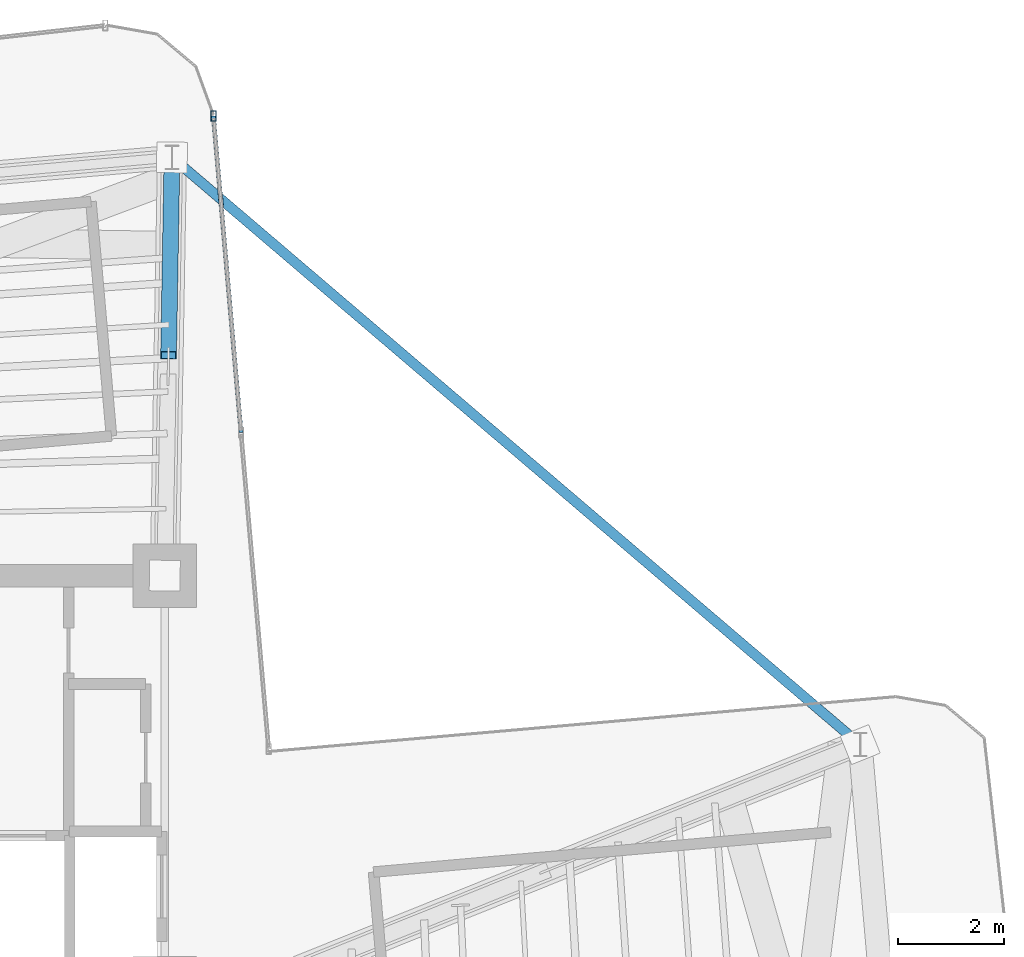
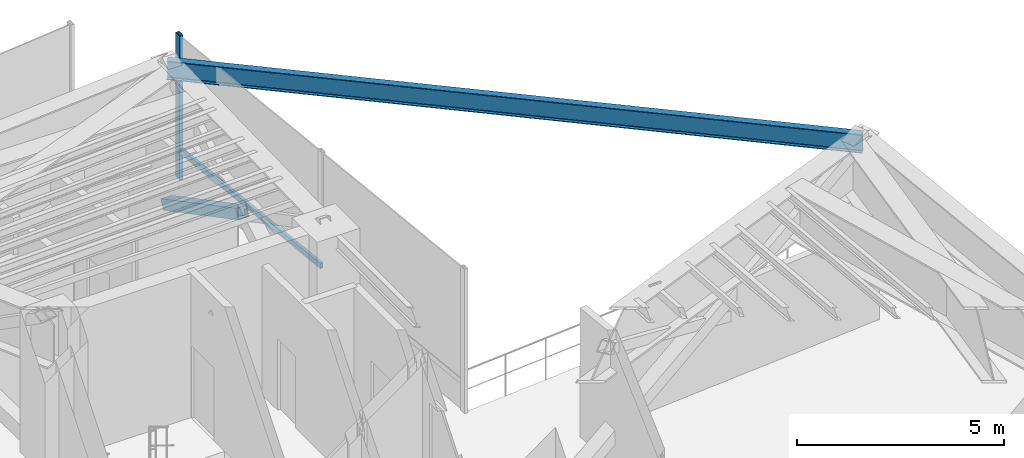
# One storey, part 10 of 17: 3 members, 1 beam, 1 element without a shape of its own.
"""IFC4 building model written with IfcOpenShell, lengths in metres."""

from ifc_helpers import new_model, si_unit, direction, frame, origin, origin_2d, place, context, subcontext, project, spatial, hollow_rectangle, i_section, extrude, source, transform, mapped, material, material_profile, profile_set, type_object, element, aggregate, save


model = new_model("IFC4")

# Units and contexts
model_context = context("Model", 3, precision=1e-05, world=origin(), true_north=direction((0.0, 1.0)))
body_context = subcontext(model_context, "Body", "Model", "MODEL_VIEW")
ifc_project = project(units=[si_unit("LENGTHUNIT", "METRE"), si_unit("AREAUNIT", "SQUARE_METRE"), si_unit("VOLUMEUNIT", "CUBIC_METRE"), si_unit("PLANEANGLEUNIT", "RADIAN"), si_unit("MASSUNIT", "GRAM", prefix="KILO")], contexts=[model_context])

# Site, building, storey
site_placement = place(None, origin())
site = spatial("IfcSite", under=ifc_project, at=site_placement, CompositionType="ELEMENT")
building_placement = place(site_placement, origin())
building = spatial("IfcBuilding", under=site, at=building_placement, Name="Sahyath Konkavel Grand Hotel", CompositionType="ELEMENT")
storey_placement = place(building_placement, frame((0.0, 0.0, 202.0)))
storey = spatial("IfcBuildingStorey", under=building, at=storey_placement, Name="L56", CompositionType="ELEMENT", Elevation=202.0)

# Beam
ifc_material_1 = material(Name="Steel E350", Category="steel")
ifc_material_profile_1 = material_profile(ifc_material_1, i_section(OverallWidth=0.18994140625, OverallDepth=0.550048828125, WebThickness=0.01123046875, FlangeThickness=0.019287109375, FilletRadius=0.01806640625, at=origin_2d()), Name="ISMB 550")
ifc_profile_set_1 = profile_set([ifc_material_profile_1], Name="Steel E350")
beam_type = type_object("IfcBeamType", Name="BM-ISMB550", PredefinedType="BEAM", material=ifc_profile_set_1)
shared_shape_1 = source(origin(), body_context, "Body", "SweptSolid", [
    extrude(i_section(OverallWidth=0.18994140625, OverallDepth=0.550048828125, WebThickness=0.01123046875, FlangeThickness=0.019287109375, FilletRadius=0.01806640625, at=origin_2d()), origin(), (0.0, 0.0, 1.0), 17.11279296875),
])
beam_placement = place(storey_placement, frame((16.9541015625, 7.00439453125, 3.985107421875), z_axis=(-0.760711911164, 0.649089661151, 0.0), x_axis=(-0.649089661151, -0.760711911164, 0.0)))
element("IfcBeam", 1, at=beam_placement, inside=storey, type_object=beam_type, Name="L56 Re-Entrant Tie Beam NE", PredefinedType="BEAM", context=body_context, shape_type="MappedRepresentation", body=[
    mapped(shared_shape_1, transform((0.0, 0.0, 0.0), scale=1.0)),
])

# Member
ifc_material_2 = material(Name="Steel E450", Category="steel")
ifc_material_profile_2 = material_profile(ifc_material_2, hollow_rectangle(XDim=0.300048828125, YDim=0.300048828125, WallThickness=0.01611328125, at=origin_2d()), Name="SHS 300x300x16")
ifc_profile_set_2 = profile_set([ifc_material_profile_2], Name="Steel E450")
member_type_1 = type_object("IfcMemberType", Name="BR-SHS300", PredefinedType="BRACE", material=ifc_profile_set_2)
shared_shape_2 = source(origin(), body_context, "Body", "SweptSolid", [
    extrude(hollow_rectangle(XDim=0.300048828125, YDim=0.300048828125, WallThickness=0.01611328125, at=origin_2d()), origin(), (0.0, 0.0, 1.0), 4.248779296875),
])
member_1_placement = place(storey_placement, frame((3.936279296875, 18.112060546875, 0.010009765625), z_axis=(-0.015169510515, -0.881325576791, 0.472265935301), x_axis=(0.999851903803, -0.017209603769, 0.0)))
element("IfcMember", 2, at=member_1_placement, inside=storey, type_object=member_type_1, Name="L56 Core Outrigger Truss NA Split Lower Diagonal 2A", PredefinedType="BRACE", context=body_context, shape_type="MappedRepresentation", body=[
    mapped(shared_shape_2, transform((0.0, 0.0, 0.0), scale=1.0)),
])

# Curtain wall, members
ifc_material_3 = material(Name="Anodised Bronze Aluminium & Low-E Glazing", Category="aluminium")
curtain_wall_type = type_object("IfcCurtainWallType", Name="CW-SKYLOBBY", PredefinedType="NOTDEFINED", material=ifc_material_3)
curtain_wall_placement = place(storey_placement, origin())
curtain_wall = element("IfcCurtainWall", 3, at=curtain_wall_placement, inside=storey, type_object=curtain_wall_type, Name="L56 Unitised Curtain Wall RF8", PredefinedType="NOTDEFINED")
ifc_material_4 = material(Name="Anodised Bronze Aluminium", Category="aluminium")
ifc_material_profile_3 = material_profile(ifc_material_4, hollow_rectangle(XDim=0.10009765625, YDim=0.199951171875, WallThickness=0.008056640625, at=origin_2d()), Name="RHS 200x100x8")
ifc_profile_set_3 = profile_set([ifc_material_profile_3], Name="Anodised Bronze Aluminium")
member_type_2 = type_object("IfcMemberType", Name="CW-MUL-200", PredefinedType="MULLION", material=ifc_profile_set_3)
shared_shape_3 = source(origin(), body_context, "Body", "SweptSolid", [
    extrude(hollow_rectangle(XDim=0.10009765625, YDim=0.199951171875, WallThickness=0.008056640625, at=origin_2d()), origin(), (0.0, 0.0, 1.0), 4.260009765625),
])
member_2_placement = place(storey_placement, frame((4.72119140625, 18.893310546875, 0.0), z_axis=(0.0, 0.0, 1.0), x_axis=(1.0, 0.0, 0.0)))
member_2 = element("IfcMember", 4, at=member_2_placement, type_object=member_type_2, Name="L56 Curtain Wall Mullion RF8-2", PredefinedType="MULLION", context=body_context, shape_type="MappedRepresentation", body=[
    mapped(shared_shape_3, transform((0.0, 0.0, 0.0), scale=1.0)),
])
ifc_material_profile_4 = material_profile(ifc_material_4, hollow_rectangle(XDim=0.080078125, YDim=0.159912109375, WallThickness=0.006103515625, at=origin_2d()), Name="RHS 160x80x6")
ifc_profile_set_4 = profile_set([ifc_material_profile_4], Name="Anodised Bronze Aluminium")
member_type_3 = type_object("IfcMemberType", Name="CW-TRN-160", PredefinedType="USERDEFINED", material=ifc_profile_set_4)
shared_shape_4 = source(origin(), body_context, "Body", "SweptSolid", [
    extrude(hollow_rectangle(XDim=0.080078125, YDim=0.159912109375, WallThickness=0.006103515625, at=origin_2d()), origin(), (0.0, 0.0, 1.0), 6.010009765625),
])
member_3_placement = place(storey_placement, frame((5.2451171875, 12.90625, 0.85009765625), z_axis=(-0.087176524886, 0.996192879672, 0.0), x_axis=(-0.996192879672, -0.087176524886, 0.0)))
member_3 = element("IfcMember", 5, at=member_3_placement, type_object=member_type_3, Name="L56 Curtain Wall Transom RF8-1-spandrel", ObjectType="TRANSOM", PredefinedType="USERDEFINED", context=body_context, shape_type="MappedRepresentation", body=[
    mapped(shared_shape_4, transform((0.0, 0.0, 0.0), scale=1.0)),
])
aggregate(curtain_wall, [member_2, member_3])

save(model, "model.ifc")
